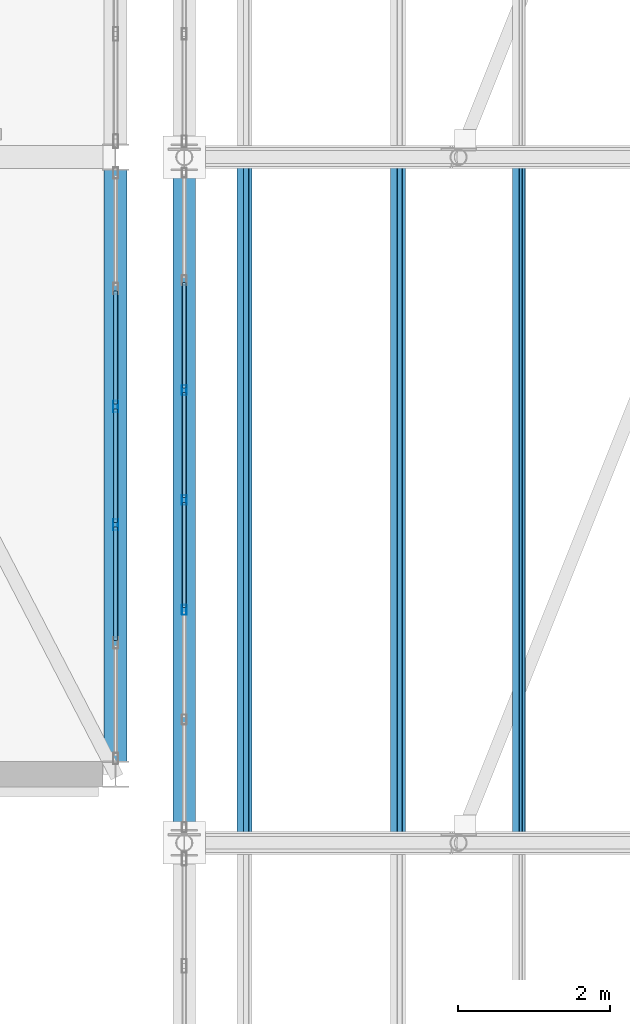
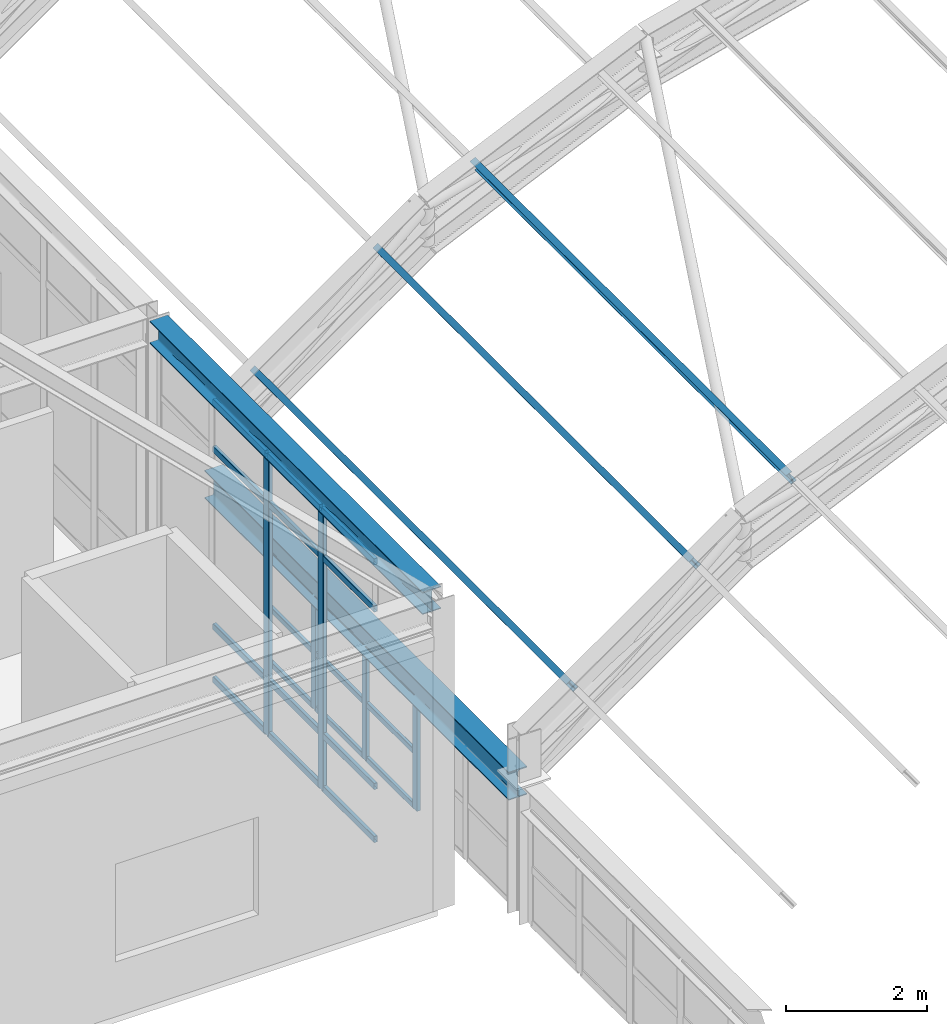
# One storey, part 50 of 121: 29 members, 2 beams, 2 elements without a shape of their own.
"""IFC4 building model written with IfcOpenShell, lengths in metres."""

from ifc_helpers import new_model, si_unit, direction, frame, origin, origin_2d, place, context, subcontext, project, spatial, hollow_rectangle, i_section, extrude, material, material_profile, profile_set, type_object, element, aggregate, save


model = new_model("IFC4")

# Units and contexts
model_context = context("Model", 3, precision=1e-05, world=origin(), true_north=direction((0.0, 1.0)))
body_context = subcontext(model_context, "Body", "Model", "MODEL_VIEW")
ifc_project = project(units=[si_unit("LENGTHUNIT", "METRE"), si_unit("AREAUNIT", "SQUARE_METRE"), si_unit("VOLUMEUNIT", "CUBIC_METRE"), si_unit("PLANEANGLEUNIT", "RADIAN"), si_unit("MASSUNIT", "GRAM", prefix="KILO")], contexts=[model_context])

# Site, building, storey
site_placement = place(None, origin())
site = spatial("IfcSite", under=ifc_project, at=site_placement, CompositionType="ELEMENT")
building_placement = place(site_placement, origin())
building = spatial("IfcBuilding", under=site, at=building_placement, Name="Canglan Escarpment Cableway Terminal", CompositionType="ELEMENT")
storey_placement = place(building_placement, frame((0.0, 0.0, 24.60009765625)))
storey = spatial("IfcBuildingStorey", under=building, at=storey_placement, Name="L05", CompositionType="ELEMENT", Elevation=24.60009765625)

# Beams
ifc_material_1 = material(Name="Steel Q355B", Category="steel")
ifc_material_profile_1 = material_profile(ifc_material_1, i_section(OverallWidth=0.300048828125, OverallDepth=0.389892578125, WebThickness=0.010009765625, FlangeThickness=0.01611328125, FilletRadius=0.02197265625, at=origin_2d()), Name="HM 390x300x10x16")
ifc_profile_set_1 = profile_set([ifc_material_profile_1], Name="Steel Q355B")
beam_type_1 = type_object("IfcBeamType", Name="BM-HM390", PredefinedType="BEAM", material=ifc_profile_set_1)
beam_1_placement = place(storey_placement, frame((136.699951171875, 89.06494140625, 5.139892578125), z_axis=(0.0, 1.0, 0.0), x_axis=(-1.0, 0.0, 0.0)))
element("IfcBeam", 1, at=beam_1_placement, inside=storey, type_object=beam_type_1, Name="Drive House roof transverse tie girder B-11", PredefinedType="BEAM", context=body_context, shape_type="SweptSolid", body=[
    extrude(i_section(OverallWidth=0.300048828125, OverallDepth=0.389892578125, WebThickness=0.010009765625, FlangeThickness=0.01611328125, FilletRadius=0.02197265625, at=origin_2d()), origin(), (0.0, 0.0, 1.0), 7.77001953125),
])
ifc_material_profile_2 = material_profile(ifc_material_1, i_section(OverallWidth=0.300048828125, OverallDepth=0.488037109375, WebThickness=0.010986328125, FlangeThickness=0.01806640625, FilletRadius=0.02587890625, at=origin_2d()), Name="HM 488x300x11x18")
ifc_profile_set_2 = profile_set([ifc_material_profile_2], Name="Steel Q355B")
beam_type_2 = type_object("IfcBeamType", Name="BM-HM488", PredefinedType="BEAM", material=ifc_profile_set_2)
beam_2_placement = place(storey_placement, frame((137.60009765625, 88.175048828125, 2.1884765625), z_axis=(0.0, 1.0, 0.0), x_axis=(-1.0, 0.0, 0.0)))
element("IfcBeam", 2, at=beam_2_placement, inside=storey, type_object=beam_type_2, Name="Vault springing ring girder B-09", PredefinedType="BEAM", context=body_context, shape_type="SweptSolid", body=[
    extrude(i_section(OverallWidth=0.300048828125, OverallDepth=0.488037109375, WebThickness=0.010986328125, FlangeThickness=0.01806640625, FilletRadius=0.02587890625, at=origin_2d()), origin(), (0.0, 0.0, 1.0), 8.64990234375),
])

# Curtain wall, members
ifc_material_2 = material(Name="Anodized bronze aluminium and Low-E double glazing", Category="aluminium")
curtain_wall_type_1 = type_object("IfcCurtainWallType", Name="CW-BAY-8650x1950", PredefinedType="NOTDEFINED", material=ifc_material_2)
curtain_wall_1_placement = place(storey_placement, origin())
curtain_wall_1 = element("IfcCurtainWall", 3, at=curtain_wall_1_placement, inside=storey, type_object=curtain_wall_type_1, Name="Classical bay-between-piers glazed curtain wall CW-66", PredefinedType="NOTDEFINED")
ifc_material_3 = material(Name="Thermally broken anodized aluminium 6063-T6", Category="aluminium")
ifc_material_profile_3 = material_profile(ifc_material_3, hollow_rectangle(XDim=0.06005859375, YDim=0.1298828125, WallThickness=0.0029296875, InnerFilletRadius=0.0029296875, OuterFilletRadius=0.006103515625, at=origin_2d()), Name="ALU-MULL 60x130x3")
ifc_profile_set_3 = profile_set([ifc_material_profile_3], Name="Thermally broken anodized aluminium 6063-T6")
member_type_1 = type_object("IfcMemberType", Name="CWM-01", PredefinedType="MULLION", material=ifc_profile_set_3)
member_1_placement = place(storey_placement, frame((137.60009765625, 93.941650390625, 0.0), z_axis=(0.0, 0.0, 1.0), x_axis=(1.0, 0.0, 0.0)))
member_1 = element("IfcMember", 4, at=member_1_placement, type_object=member_type_1, Name="CW-66 mullion 3", PredefinedType="MULLION", context=body_context, shape_type="SweptSolid", body=[
    extrude(hollow_rectangle(XDim=0.06005859375, YDim=0.1298828125, WallThickness=0.0029296875, InnerFilletRadius=0.0029296875, OuterFilletRadius=0.006103515625, at=origin_2d()), origin(), (0.0, 0.0, 1.0), 1.949951171875),
])
member_2_placement = place(storey_placement, frame((137.60009765625, 92.5, 0.0), z_axis=(0.0, 0.0, 1.0), x_axis=(1.0, 0.0, 0.0)))
member_2 = element("IfcMember", 5, at=member_2_placement, type_object=member_type_1, Name="CW-66 mullion 4", PredefinedType="MULLION", context=body_context, shape_type="SweptSolid", body=[
    extrude(hollow_rectangle(XDim=0.06005859375, YDim=0.1298828125, WallThickness=0.0029296875, InnerFilletRadius=0.0029296875, OuterFilletRadius=0.006103515625, at=origin_2d()), origin(), (0.0, 0.0, 1.0), 1.949951171875),
])
member_3_placement = place(storey_placement, frame((137.60009765625, 91.058349609375, 0.0), z_axis=(0.0, 0.0, 1.0), x_axis=(1.0, 0.0, 0.0)))
member_3 = element("IfcMember", 6, at=member_3_placement, type_object=member_type_1, Name="CW-66 mullion 5", PredefinedType="MULLION", context=body_context, shape_type="SweptSolid", body=[
    extrude(hollow_rectangle(XDim=0.06005859375, YDim=0.1298828125, WallThickness=0.0029296875, InnerFilletRadius=0.0029296875, OuterFilletRadius=0.006103515625, at=origin_2d()), origin(), (0.0, 0.0, 1.0), 1.949951171875),
])

curtain_wall_type_2 = type_object("IfcCurtainWallType", Name="CW-BAY-7750x4875", PredefinedType="NOTDEFINED", material=ifc_material_2)
curtain_wall_2_placement = place(storey_placement, origin())
curtain_wall_2 = element("IfcCurtainWall", 7, at=curtain_wall_2_placement, inside=storey, type_object=curtain_wall_type_2, Name="Classical bay-between-piers glazed curtain wall CW-57", PredefinedType="NOTDEFINED")
ifc_material_profile_4 = material_profile(ifc_material_3, hollow_rectangle(XDim=0.06494140625, YDim=0.14990234375, WallThickness=0.00341796875, InnerFilletRadius=0.00341796875, OuterFilletRadius=0.007080078125, at=origin_2d()), Name="ALU-MULL 65x150x3.5")
ifc_profile_set_4 = profile_set([ifc_material_profile_4], Name="Thermally broken anodized aluminium 6063-T6")
member_type_2 = type_object("IfcMemberType", Name="CWM-02", PredefinedType="MULLION", material=ifc_profile_set_4)
member_4_placement = place(storey_placement, frame((136.699951171875, 92.175048828125, 0.0), z_axis=(0.0, 0.0, 1.0), x_axis=(-1.0, 0.0, 0.0)))
member_4 = element("IfcMember", 8, at=member_4_placement, type_object=member_type_2, Name="CW-57 mullion 3", PredefinedType="MULLION", context=body_context, shape_type="SweptSolid", body=[
    extrude(hollow_rectangle(XDim=0.06494140625, YDim=0.14990234375, WallThickness=0.00341796875, InnerFilletRadius=0.00341796875, OuterFilletRadius=0.007080078125, at=origin_2d()), origin(), (0.0, 0.0, 1.0), 4.880859375),
])
member_5_placement = place(storey_placement, frame((136.699951171875, 93.72509765625, 0.0), z_axis=(0.0, 0.0, 1.0), x_axis=(-1.0, 0.0, 0.0)))
member_5 = element("IfcMember", 9, at=member_5_placement, type_object=member_type_2, Name="CW-57 mullion 4", PredefinedType="MULLION", context=body_context, shape_type="SweptSolid", body=[
    extrude(hollow_rectangle(XDim=0.06494140625, YDim=0.14990234375, WallThickness=0.00341796875, InnerFilletRadius=0.00341796875, OuterFilletRadius=0.007080078125, at=origin_2d()), origin(), (0.0, 0.0, 1.0), 4.880859375),
])

# Member
ifc_material_profile_5 = material_profile(ifc_material_3, hollow_rectangle(XDim=0.054931640625, YDim=0.094970703125, WallThickness=0.0029296875, InnerFilletRadius=0.0029296875, OuterFilletRadius=0.006103515625, at=origin_2d()), Name="ALU-TRAN 55x95x3")
ifc_profile_set_5 = profile_set([ifc_material_profile_5], Name="Thermally broken anodized aluminium 6063-T6")
member_type_3 = type_object("IfcMemberType", Name="CWT-01", PredefinedType="USERDEFINED", material=ifc_profile_set_5)
member_6_placement = place(storey_placement, frame((137.60009765625, 95.353271484375, 0.02734375), z_axis=(0.0, -1.0, 0.0), x_axis=(1.0, 0.0, 0.0)))
member_6 = element("IfcMember", 10, at=member_6_placement, type_object=member_type_3, Name="CW-66 transom 2.1", ObjectType="TRANSOM", PredefinedType="USERDEFINED", context=body_context, shape_type="SweptSolid", body=[
    extrude(hollow_rectangle(XDim=0.054931640625, YDim=0.094970703125, WallThickness=0.0029296875, InnerFilletRadius=0.0029296875, OuterFilletRadius=0.006103515625, at=origin_2d()), origin(), (0.0, 0.0, 1.0), 1.381591796875),
])

member_7_placement = place(storey_placement, frame((137.60009765625, 95.353271484375, 0.974853515625), z_axis=(0.0, -1.0, 0.0), x_axis=(1.0, 0.0, 0.0)))
member_7 = element("IfcMember", 11, at=member_7_placement, type_object=member_type_3, Name="CW-66 transom 2.2", ObjectType="TRANSOM", PredefinedType="USERDEFINED", context=body_context, shape_type="SweptSolid", body=[
    extrude(hollow_rectangle(XDim=0.054931640625, YDim=0.094970703125, WallThickness=0.0029296875, InnerFilletRadius=0.0029296875, OuterFilletRadius=0.006103515625, at=origin_2d()), origin(), (0.0, 0.0, 1.0), 1.381591796875),
])

member_8_placement = place(storey_placement, frame((137.60009765625, 95.353271484375, 1.92236328125), z_axis=(0.0, -1.0, 0.0), x_axis=(1.0, 0.0, 0.0)))
member_8 = element("IfcMember", 12, at=member_8_placement, type_object=member_type_3, Name="CW-66 transom 2.3", ObjectType="TRANSOM", PredefinedType="USERDEFINED", context=body_context, shape_type="SweptSolid", body=[
    extrude(hollow_rectangle(XDim=0.054931640625, YDim=0.094970703125, WallThickness=0.0029296875, InnerFilletRadius=0.0029296875, OuterFilletRadius=0.006103515625, at=origin_2d()), origin(), (0.0, 0.0, 1.0), 1.381591796875),
])

member_9_placement = place(storey_placement, frame((137.60009765625, 93.91162109375, 0.02734375), z_axis=(0.0, -1.0, 0.0), x_axis=(1.0, 0.0, 0.0)))
member_9 = element("IfcMember", 13, at=member_9_placement, type_object=member_type_3, Name="CW-66 transom 3.1", ObjectType="TRANSOM", PredefinedType="USERDEFINED", context=body_context, shape_type="SweptSolid", body=[
    extrude(hollow_rectangle(XDim=0.054931640625, YDim=0.094970703125, WallThickness=0.0029296875, InnerFilletRadius=0.0029296875, OuterFilletRadius=0.006103515625, at=origin_2d()), origin(), (0.0, 0.0, 1.0), 1.381591796875),
])

member_10_placement = place(storey_placement, frame((137.60009765625, 93.91162109375, 0.974853515625), z_axis=(0.0, -1.0, 0.0), x_axis=(1.0, 0.0, 0.0)))
member_10 = element("IfcMember", 14, at=member_10_placement, type_object=member_type_3, Name="CW-66 transom 3.2", ObjectType="TRANSOM", PredefinedType="USERDEFINED", context=body_context, shape_type="SweptSolid", body=[
    extrude(hollow_rectangle(XDim=0.054931640625, YDim=0.094970703125, WallThickness=0.0029296875, InnerFilletRadius=0.0029296875, OuterFilletRadius=0.006103515625, at=origin_2d()), origin(), (0.0, 0.0, 1.0), 1.381591796875),
])

member_11_placement = place(storey_placement, frame((137.60009765625, 93.91162109375, 1.92236328125), z_axis=(0.0, -1.0, 0.0), x_axis=(1.0, 0.0, 0.0)))
member_11 = element("IfcMember", 15, at=member_11_placement, type_object=member_type_3, Name="CW-66 transom 3.3", ObjectType="TRANSOM", PredefinedType="USERDEFINED", context=body_context, shape_type="SweptSolid", body=[
    extrude(hollow_rectangle(XDim=0.054931640625, YDim=0.094970703125, WallThickness=0.0029296875, InnerFilletRadius=0.0029296875, OuterFilletRadius=0.006103515625, at=origin_2d()), origin(), (0.0, 0.0, 1.0), 1.381591796875),
])

member_12_placement = place(storey_placement, frame((137.60009765625, 92.469970703125, 0.02734375), z_axis=(0.0, -1.0, 0.0), x_axis=(1.0, 0.0, 0.0)))
member_12 = element("IfcMember", 16, at=member_12_placement, type_object=member_type_3, Name="CW-66 transom 4.1", ObjectType="TRANSOM", PredefinedType="USERDEFINED", context=body_context, shape_type="SweptSolid", body=[
    extrude(hollow_rectangle(XDim=0.054931640625, YDim=0.094970703125, WallThickness=0.0029296875, InnerFilletRadius=0.0029296875, OuterFilletRadius=0.006103515625, at=origin_2d()), origin(), (0.0, 0.0, 1.0), 1.381591796875),
])

member_13_placement = place(storey_placement, frame((137.60009765625, 92.469970703125, 0.974853515625), z_axis=(0.0, -1.0, 0.0), x_axis=(1.0, 0.0, 0.0)))
member_13 = element("IfcMember", 17, at=member_13_placement, type_object=member_type_3, Name="CW-66 transom 4.2", ObjectType="TRANSOM", PredefinedType="USERDEFINED", context=body_context, shape_type="SweptSolid", body=[
    extrude(hollow_rectangle(XDim=0.054931640625, YDim=0.094970703125, WallThickness=0.0029296875, InnerFilletRadius=0.0029296875, OuterFilletRadius=0.006103515625, at=origin_2d()), origin(), (0.0, 0.0, 1.0), 1.381591796875),
])

member_14_placement = place(storey_placement, frame((137.60009765625, 92.469970703125, 1.92236328125), z_axis=(0.0, -1.0, 0.0), x_axis=(1.0, 0.0, 0.0)))
member_14 = element("IfcMember", 18, at=member_14_placement, type_object=member_type_3, Name="CW-66 transom 4.3", ObjectType="TRANSOM", PredefinedType="USERDEFINED", context=body_context, shape_type="SweptSolid", body=[
    extrude(hollow_rectangle(XDim=0.054931640625, YDim=0.094970703125, WallThickness=0.0029296875, InnerFilletRadius=0.0029296875, OuterFilletRadius=0.006103515625, at=origin_2d()), origin(), (0.0, 0.0, 1.0), 1.381591796875),
])

aggregate(curtain_wall_1, [member_1, member_2, member_3, member_6, member_7, member_8, member_9, member_10, member_11, member_12, member_13, member_14])

ifc_material_profile_6 = material_profile(ifc_material_3, hollow_rectangle(XDim=0.06005859375, YDim=0.110107421875, WallThickness=0.0029296875, InnerFilletRadius=0.0029296875, OuterFilletRadius=0.006103515625, at=origin_2d()), Name="ALU-TRAN 60x110x3")
ifc_profile_set_6 = profile_set([ifc_material_profile_6], Name="Thermally broken anodized aluminium 6063-T6")
member_type_4 = type_object("IfcMemberType", Name="CWT-02", PredefinedType="USERDEFINED", material=ifc_profile_set_6)
member_15_placement = place(storey_placement, frame((136.699951171875, 90.657470703125, 0.02978515625), z_axis=(0.0, 1.0, 0.0), x_axis=(-1.0, 0.0, 0.0)))
member_15 = element("IfcMember", 19, at=member_15_placement, type_object=member_type_4, Name="CW-57 transom 2.1", ObjectType="TRANSOM", PredefinedType="USERDEFINED", context=body_context, shape_type="SweptSolid", body=[
    extrude(hollow_rectangle(XDim=0.06005859375, YDim=0.110107421875, WallThickness=0.0029296875, InnerFilletRadius=0.0029296875, OuterFilletRadius=0.006103515625, at=origin_2d()), origin(), (0.0, 0.0, 1.0), 1.485107421875),
])

member_16_placement = place(storey_placement, frame((136.699951171875, 90.657470703125, 0.949951171875), z_axis=(0.0, 1.0, 0.0), x_axis=(-1.0, 0.0, 0.0)))
member_16 = element("IfcMember", 20, at=member_16_placement, type_object=member_type_4, Name="CW-57 transom 2.2", ObjectType="TRANSOM", PredefinedType="USERDEFINED", context=body_context, shape_type="SweptSolid", body=[
    extrude(hollow_rectangle(XDim=0.06005859375, YDim=0.110107421875, WallThickness=0.0029296875, InnerFilletRadius=0.0029296875, OuterFilletRadius=0.006103515625, at=origin_2d()), origin(), (0.0, 0.0, 1.0), 1.485107421875),
])

member_17_placement = place(storey_placement, frame((136.699951171875, 90.657470703125, 4.031005859375), z_axis=(0.0, 1.0, 0.0), x_axis=(-1.0, 0.0, 0.0)))
member_17 = element("IfcMember", 21, at=member_17_placement, type_object=member_type_4, Name="CW-57 transom 2.3", ObjectType="TRANSOM", PredefinedType="USERDEFINED", context=body_context, shape_type="SweptSolid", body=[
    extrude(hollow_rectangle(XDim=0.06005859375, YDim=0.110107421875, WallThickness=0.0029296875, InnerFilletRadius=0.0029296875, OuterFilletRadius=0.006103515625, at=origin_2d()), origin(), (0.0, 0.0, 1.0), 1.485107421875),
])

member_18_placement = place(storey_placement, frame((136.699951171875, 90.657470703125, 4.850830078125), z_axis=(0.0, 1.0, 0.0), x_axis=(-1.0, 0.0, 0.0)))
member_18 = element("IfcMember", 22, at=member_18_placement, type_object=member_type_4, Name="CW-57 transom 2.4", ObjectType="TRANSOM", PredefinedType="USERDEFINED", context=body_context, shape_type="SweptSolid", body=[
    extrude(hollow_rectangle(XDim=0.06005859375, YDim=0.110107421875, WallThickness=0.0029296875, InnerFilletRadius=0.0029296875, OuterFilletRadius=0.006103515625, at=origin_2d()), origin(), (0.0, 0.0, 1.0), 1.485107421875),
])

member_19_placement = place(storey_placement, frame((136.699951171875, 92.20751953125, 0.02978515625), z_axis=(0.0, 1.0, 0.0), x_axis=(-1.0, 0.0, 0.0)))
member_19 = element("IfcMember", 23, at=member_19_placement, type_object=member_type_4, Name="CW-57 transom 3.1", ObjectType="TRANSOM", PredefinedType="USERDEFINED", context=body_context, shape_type="SweptSolid", body=[
    extrude(hollow_rectangle(XDim=0.06005859375, YDim=0.110107421875, WallThickness=0.0029296875, InnerFilletRadius=0.0029296875, OuterFilletRadius=0.006103515625, at=origin_2d()), origin(), (0.0, 0.0, 1.0), 1.48486328125),
])

member_20_placement = place(storey_placement, frame((136.699951171875, 92.20751953125, 0.949951171875), z_axis=(0.0, 1.0, 0.0), x_axis=(-1.0, 0.0, 0.0)))
member_20 = element("IfcMember", 24, at=member_20_placement, type_object=member_type_4, Name="CW-57 transom 3.2", ObjectType="TRANSOM", PredefinedType="USERDEFINED", context=body_context, shape_type="SweptSolid", body=[
    extrude(hollow_rectangle(XDim=0.06005859375, YDim=0.110107421875, WallThickness=0.0029296875, InnerFilletRadius=0.0029296875, OuterFilletRadius=0.006103515625, at=origin_2d()), origin(), (0.0, 0.0, 1.0), 1.48486328125),
])

member_21_placement = place(storey_placement, frame((136.699951171875, 92.20751953125, 4.031005859375), z_axis=(0.0, 1.0, 0.0), x_axis=(-1.0, 0.0, 0.0)))
member_21 = element("IfcMember", 25, at=member_21_placement, type_object=member_type_4, Name="CW-57 transom 3.3", ObjectType="TRANSOM", PredefinedType="USERDEFINED", context=body_context, shape_type="SweptSolid", body=[
    extrude(hollow_rectangle(XDim=0.06005859375, YDim=0.110107421875, WallThickness=0.0029296875, InnerFilletRadius=0.0029296875, OuterFilletRadius=0.006103515625, at=origin_2d()), origin(), (0.0, 0.0, 1.0), 1.48486328125),
])

member_22_placement = place(storey_placement, frame((136.699951171875, 92.20751953125, 4.850830078125), z_axis=(0.0, 1.0, 0.0), x_axis=(-1.0, 0.0, 0.0)))
member_22 = element("IfcMember", 26, at=member_22_placement, type_object=member_type_4, Name="CW-57 transom 3.4", ObjectType="TRANSOM", PredefinedType="USERDEFINED", context=body_context, shape_type="SweptSolid", body=[
    extrude(hollow_rectangle(XDim=0.06005859375, YDim=0.110107421875, WallThickness=0.0029296875, InnerFilletRadius=0.0029296875, OuterFilletRadius=0.006103515625, at=origin_2d()), origin(), (0.0, 0.0, 1.0), 1.48486328125),
])

member_23_placement = place(storey_placement, frame((136.699951171875, 93.757568359375, 0.02978515625), z_axis=(0.0, 1.0, 0.0), x_axis=(-1.0, 0.0, 0.0)))
member_23 = element("IfcMember", 27, at=member_23_placement, type_object=member_type_4, Name="CW-57 transom 4.1", ObjectType="TRANSOM", PredefinedType="USERDEFINED", context=body_context, shape_type="SweptSolid", body=[
    extrude(hollow_rectangle(XDim=0.06005859375, YDim=0.110107421875, WallThickness=0.0029296875, InnerFilletRadius=0.0029296875, OuterFilletRadius=0.006103515625, at=origin_2d()), origin(), (0.0, 0.0, 1.0), 1.48486328125),
])

member_24_placement = place(storey_placement, frame((136.699951171875, 93.757568359375, 0.949951171875), z_axis=(0.0, 1.0, 0.0), x_axis=(-1.0, 0.0, 0.0)))
member_24 = element("IfcMember", 28, at=member_24_placement, type_object=member_type_4, Name="CW-57 transom 4.2", ObjectType="TRANSOM", PredefinedType="USERDEFINED", context=body_context, shape_type="SweptSolid", body=[
    extrude(hollow_rectangle(XDim=0.06005859375, YDim=0.110107421875, WallThickness=0.0029296875, InnerFilletRadius=0.0029296875, OuterFilletRadius=0.006103515625, at=origin_2d()), origin(), (0.0, 0.0, 1.0), 1.48486328125),
])

member_25_placement = place(storey_placement, frame((136.699951171875, 93.757568359375, 4.031005859375), z_axis=(0.0, 1.0, 0.0), x_axis=(-1.0, 0.0, 0.0)))
member_25 = element("IfcMember", 29, at=member_25_placement, type_object=member_type_4, Name="CW-57 transom 4.3", ObjectType="TRANSOM", PredefinedType="USERDEFINED", context=body_context, shape_type="SweptSolid", body=[
    extrude(hollow_rectangle(XDim=0.06005859375, YDim=0.110107421875, WallThickness=0.0029296875, InnerFilletRadius=0.0029296875, OuterFilletRadius=0.006103515625, at=origin_2d()), origin(), (0.0, 0.0, 1.0), 1.48486328125),
])

member_26_placement = place(storey_placement, frame((136.699951171875, 93.757568359375, 4.850830078125), z_axis=(0.0, 1.0, 0.0), x_axis=(-1.0, 0.0, 0.0)))
member_26 = element("IfcMember", 30, at=member_26_placement, type_object=member_type_4, Name="CW-57 transom 4.4", ObjectType="TRANSOM", PredefinedType="USERDEFINED", context=body_context, shape_type="SweptSolid", body=[
    extrude(hollow_rectangle(XDim=0.06005859375, YDim=0.110107421875, WallThickness=0.0029296875, InnerFilletRadius=0.0029296875, OuterFilletRadius=0.006103515625, at=origin_2d()), origin(), (0.0, 0.0, 1.0), 1.48486328125),
])

aggregate(curtain_wall_2, [member_4, member_5, member_15, member_16, member_17, member_18, member_19, member_20, member_21, member_22, member_23, member_24, member_25, member_26])

# Members
ifc_material_profile_7 = material_profile(ifc_material_1, i_section(OverallWidth=0.10009765625, OverallDepth=0.199951171875, WebThickness=0.005615234375, FlangeThickness=0.008056640625, FilletRadius=0.010986328125, at=origin_2d()), Name="HN 200x100x5.5x8")
ifc_profile_set_7 = profile_set([ifc_material_profile_7], Name="Steel Q355B")
member_type_5 = type_object("IfcMemberType", Name="MB-VAULT-PUR-HN200", PredefinedType="PURLIN", material=ifc_profile_set_7)
for number, where, z_axis, x_axis, name in (
    (31, (138.39208984375, 88.0, 3.712890625), (0.0, 1.0, 0.0), (-0.817727996784, 0.0, -0.575604832568), "Barrel-vault roof purlin PR-01"),
    (32, (140.407958984375, 88.0, 5.1318359375), (0.0, 1.0, 0.0), (-0.817727996784, 0.0, -0.575604832568), "Barrel-vault roof purlin PR-01"),
    (33, (141.991943359375, 88.0, 6.059814453125), (0.0, 1.0, 0.0), (-0.911740537138, 0.0, -0.410766591799), "Barrel-vault roof purlin PR-01"),
):
    element("IfcMember", number, at=place(storey_placement, frame(where, z_axis=z_axis, x_axis=x_axis)), inside=storey, type_object=member_type_5, Name=name, PredefinedType="PURLIN", context=body_context, shape_type="SweptSolid", body=[
        extrude(i_section(OverallWidth=0.10009765625, OverallDepth=0.199951171875, WebThickness=0.005615234375, FlangeThickness=0.008056640625, FilletRadius=0.010986328125, at=origin_2d()), origin(), (0.0, 0.0, 1.0), 9.0),
    ])

save(model, "model.ifc")
